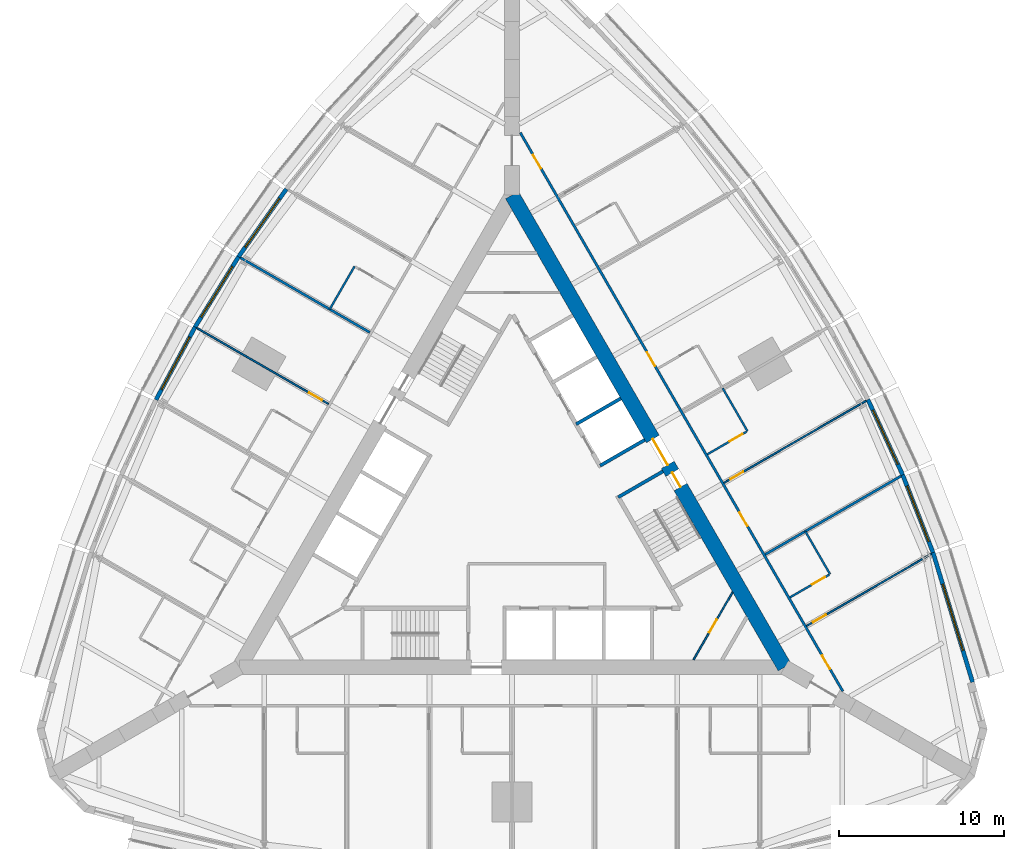
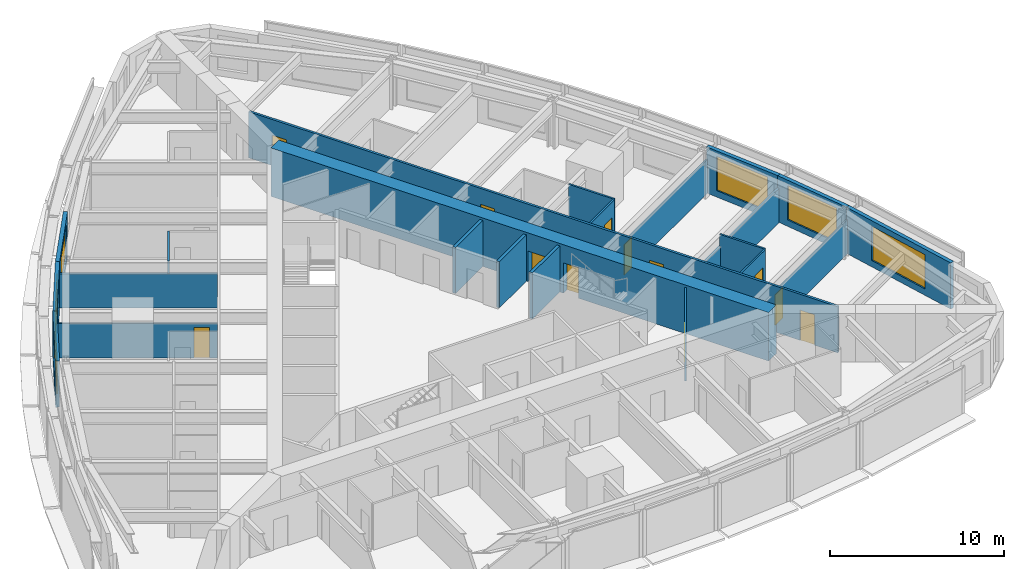
# One storey, part 11 of 14: 22 walls, 12 doors, 6 windows, 18 openings.
"""IFC4 building model written with IfcOpenShell, lengths in metres."""

from ifc_helpers import new_model, si_unit, direction, frame, frame_2d, origin, place, context, subcontext, project, spatial, rectangle, extrude, material, layer, layer_set, type_object, element, fill, save


model = new_model("IFC4")

# Units and contexts
model_context = context("Model", 3, precision=1e-05, world=origin(), true_north=direction((0.0, 1.0)))
body_context = subcontext(model_context, "Body", "Model", "MODEL_VIEW")
ifc_project = project(units=[si_unit("LENGTHUNIT", "METRE"), si_unit("AREAUNIT", "SQUARE_METRE"), si_unit("VOLUMEUNIT", "CUBIC_METRE"), si_unit("PLANEANGLEUNIT", "RADIAN"), si_unit("MASSUNIT", "GRAM", prefix="KILO")], contexts=[model_context])

# Site, building, storey
site_placement = place(None, origin())
site = spatial("IfcSite", under=ifc_project, at=site_placement, CompositionType="ELEMENT")
building_placement = place(site_placement, origin())
building = spatial("IfcBuilding", under=site, at=building_placement, Name="Trikona Tower", CompositionType="ELEMENT")
storey_placement = place(building_placement, frame((0.0, 0.0, 96.5)))
storey = spatial("IfcBuildingStorey", under=building, at=storey_placement, Name="L25", CompositionType="ELEMENT", Elevation=96.5)

# Wall
ifc_material_1 = material(Name="Metal stud and cement board", Category="gypsum")
ifc_layer_1 = layer(ifc_material_1, 0.1201171875)
ifc_layer_set_1 = layer_set([ifc_layer_1], Name="Bathroom wall 120")
wall_type_1 = type_object("IfcWallType", Name="Bathroom wall 120", PredefinedType="PLUMBINGWALL", material=ifc_layer_set_1)
wall_1_placement = place(storey_placement, frame((19.25341796875, -3.895263671875, 0.0), z_axis=(0.0, 0.0, 1.0), x_axis=(-0.499990139034, 0.866031096941, 0.0)))
element("IfcWall", 1, at=wall_1_placement, inside=storey, type_object=wall_type_1, Name="Bathroom wall 2505.1", PredefinedType="PLUMBINGWALL", context=body_context, shape_type="SweptSolid", body=[
    extrude(rectangle(XDim=3.0, YDim=0.1201171875, at=frame_2d((1.5, 0.0))), origin(), (0.0, 0.0, 1.0), 3.235107421875),
])

# Wall, opening, door
wall_2_placement = place(storey_placement, frame((16.82861328125, -5.295166015625, 0.0), z_axis=(0.0, 0.0, 1.0), x_axis=(0.866035715982, 0.499982138324, 0.0)))
wall_2 = element("IfcWall", 2, at=wall_2_placement, inside=storey, type_object=wall_type_1, Name="Bathroom wall 2505.1", PredefinedType="PLUMBINGWALL", context=body_context, shape_type="SweptSolid", body=[
    extrude(rectangle(XDim=2.73974609375, YDim=0.1201171875, at=frame_2d((1.369873046875, 0.0))), origin(), (0.0, 0.0, 1.0), 3.235107421875),
])
opening_1_placement = place(wall_2_placement, frame((1.550048828125, 0.0, 0.0)))
opening_1 = element("IfcOpeningElement", 3, at=opening_1_placement, cuts=wall_2, Name="Opening D2", PredefinedType="OPENING", context=body_context, shape_type="SweptSolid", body=[
    extrude(rectangle(XDim=0.89990234375, YDim=2.1298828125, at=frame_2d((0.449951171875, 1.06494140625))), frame((0.0, 0.070068359375, 0.0), z_axis=(0.0, -1.0, 0.0), x_axis=(1.0, 0.0, 0.0)), (0.0, 0.0, 1.0), 0.14013671875),
])
ifc_material_2 = material(Name="Steel door frame with solid-core timber leaf", Category="steel")
door_type_1 = type_object("IfcDoorType", Name="Bathroom door 900x2130", OperationType="SLIDING_TO_LEFT", PredefinedType="DOOR", material=ifc_material_2)
door_1_placement = place(opening_1_placement, origin())
door_1 = element("IfcDoor", 4, at=door_1_placement, inside=storey, type_object=door_type_1, Name="Bathroom door 2505.1", OperationType="SLIDING_TO_LEFT", OverallHeight=2.1298828125, OverallWidth=0.89990234375, PredefinedType="DOOR", context=body_context, shape_type="SweptSolid", body=[
    extrude(rectangle(XDim=0.89990234375, YDim=2.1298828125, at=frame_2d((0.449951171875, 1.06494140625))), frame((0.0, 0.02490234375, 0.0), z_axis=(0.0, -1.0, 0.0), x_axis=(1.0, 0.0, 0.0)), (0.0, 0.0, 1.0), 0.050048828125),
])
fill(opening_1, door_1)

# Wall
wall_3_placement = place(storey_placement, frame((14.25341796875, 4.76513671875, 0.0), z_axis=(0.0, 0.0, 1.0), x_axis=(-0.50002537861, 0.866010750942, 0.0)))
element("IfcWall", 5, at=wall_3_placement, inside=storey, type_object=wall_type_1, Name="Bathroom wall 2506.1", PredefinedType="PLUMBINGWALL", context=body_context, shape_type="SweptSolid", body=[
    extrude(rectangle(XDim=2.999755859375, YDim=0.1201171875, at=frame_2d((1.5, 0.0))), origin(), (0.0, 0.0, 1.0), 3.235107421875),
])

# Wall, opening, door
wall_4_placement = place(storey_placement, frame((11.82861328125, 3.364990234375, 0.0), z_axis=(0.0, 0.0, 1.0), x_axis=(0.865997131366, 0.500048966069, 0.0)))
wall_4 = element("IfcWall", 6, at=wall_4_placement, inside=storey, type_object=wall_type_1, Name="Bathroom wall 2506.1", PredefinedType="PLUMBINGWALL", context=body_context, shape_type="SweptSolid", body=[
    extrude(rectangle(XDim=2.739990234375, YDim=0.1201171875, at=frame_2d((1.3701171875, 0.0))), origin(), (0.0, 0.0, 1.0), 3.235107421875),
])
opening_2_placement = place(wall_4_placement, frame((1.550048828125, 0.0, 0.0)))
opening_2 = element("IfcOpeningElement", 7, at=opening_2_placement, cuts=wall_4, Name="Opening D2", PredefinedType="OPENING", context=body_context, shape_type="SweptSolid", body=[
    extrude(rectangle(XDim=0.89990234375, YDim=2.1298828125, at=frame_2d((0.449951171875, 1.06494140625))), frame((0.0, 0.070068359375, 0.0), z_axis=(0.0, -1.0, 0.0), x_axis=(1.0, 0.0, 0.0)), (0.0, 0.0, 1.0), 0.14013671875),
])
door_2_placement = place(opening_2_placement, origin())
door_2 = element("IfcDoor", 8, at=door_2_placement, inside=storey, type_object=door_type_1, Name="Bathroom door 2506.1", OperationType="SLIDING_TO_LEFT", OverallHeight=2.1298828125, OverallWidth=0.89990234375, PredefinedType="DOOR", context=body_context, shape_type="SweptSolid", body=[
    extrude(rectangle(XDim=0.89990234375, YDim=2.1298828125, at=frame_2d((0.449951171875, 1.06494140625))), frame((0.0, 0.02490234375, 0.0), z_axis=(0.0, -1.0, 0.0), x_axis=(1.0, 0.0, 0.0)), (0.0, 0.0, 1.0), 0.050048828125),
])
fill(opening_2, door_2)

# Wall
wall_5_placement = place(storey_placement, frame((-9.53271484375, 14.7412109375, 0.0), z_axis=(0.0, 0.0, 1.0), x_axis=(-0.50002537861, -0.866010750942, 0.0)))
element("IfcWall", 9, at=wall_5_placement, inside=storey, type_object=wall_type_1, Name="Bathroom wall 2510.1", PredefinedType="PLUMBINGWALL", context=body_context, shape_type="SweptSolid", body=[
    extrude(rectangle(XDim=2.999755859375, YDim=0.1201171875, at=frame_2d((1.5, 0.0))), origin(), (0.0, 0.0, 1.0), 3.235107421875),
])

# Wall, openings, doors
ifc_material_3 = material(Name="Concrete f'c 10000 psi", Category="concrete")
ifc_layer_2 = layer(ifc_material_3, 0.89990234375)
ifc_layer_set_2 = layer_set([ifc_layer_2], Name="Core wall 900")
wall_type_2 = type_object("IfcWallType", Name="Core wall 900", PredefinedType="SHEAR", material=ifc_layer_set_2)
wall_6_placement = place(storey_placement, frame((16.5, -9.5263671875, 0.0), z_axis=(0.0, 0.0, 1.0), x_axis=(-0.499999749417, 0.866025548458, 0.0)))
wall_6 = element("IfcWall", 10, at=wall_6_placement, inside=storey, type_object=wall_type_2, Name="Core wall B", PredefinedType="SHEAR", context=body_context, shape_type="SweptSolid", body=[
    extrude(rectangle(XDim=33.0, YDim=0.89990234375, at=frame_2d((16.5, 0.0))), origin(), (0.0, 0.0, 1.0), 3.39990234375),
])
opening_3_placement = place(wall_6_placement, frame((14.14990234375, 0.0, 0.0)))
opening_3 = element("IfcOpeningElement", 11, at=opening_3_placement, cuts=wall_6, Name="Opening D6", PredefinedType="OPENING", context=body_context, shape_type="SweptSolid", body=[
    extrude(rectangle(XDim=1.800048828125, YDim=2.1298828125, at=frame_2d((0.89990234375, 1.06494140625))), frame((0.0, 0.4599609375, 0.0), z_axis=(0.0, -1.0, 0.0), x_axis=(1.0, 0.0, 0.0)), (0.0, 0.0, 1.0), 0.919921875),
])
opening_4_placement = place(wall_6_placement, frame((12.60009765625, 0.0, 0.0)))
opening_4 = element("IfcOpeningElement", 12, at=opening_4_placement, cuts=wall_6, Name="Opening D5", PredefinedType="OPENING", context=body_context, shape_type="SweptSolid", body=[
    extrude(rectangle(XDim=1.0, YDim=2.1298828125, at=frame_2d((0.5, 1.06494140625))), frame((0.0, 0.4599609375, 0.0), z_axis=(0.0, -1.0, 0.0), x_axis=(1.0, 0.0, 0.0)), (0.0, 0.0, 1.0), 0.919921875),
])
ifc_material_4 = material(Name="Hollow metal door and frame", Category="steel")
door_type_2 = type_object("IfcDoorType", Name="Lobby door pair 1800x2130", OperationType="DOUBLE_DOOR_SINGLE_SWING", PredefinedType="DOOR", material=ifc_material_4)
door_3_placement = place(opening_3_placement, origin())
door_3 = element("IfcDoor", 13, at=door_3_placement, inside=storey, type_object=door_type_2, Name="Lift lobby door B", OperationType="DOUBLE_DOOR_SINGLE_SWING", OverallHeight=2.1298828125, OverallWidth=1.800048828125, PredefinedType="DOOR", context=body_context, shape_type="SweptSolid", body=[
    extrude(rectangle(XDim=1.800048828125, YDim=2.1298828125, at=frame_2d((0.89990234375, 1.06494140625))), frame((0.0, 0.02490234375, 0.0), z_axis=(0.0, -1.0, 0.0), x_axis=(1.0, 0.0, 0.0)), (0.0, 0.0, 1.0), 0.050048828125),
])
fill(opening_3, door_3)
ifc_material_5 = material(Name="Hollow metal door and frame", Category="steel")
door_type_3 = type_object("IfcDoorType", Name="Stair door 1000x2130", OperationType="SINGLE_SWING_LEFT", PredefinedType="DOOR", material=ifc_material_5)
door_4_placement = place(opening_4_placement, origin())
door_4 = element("IfcDoor", 14, at=door_4_placement, inside=storey, type_object=door_type_3, Name="Stair B door", OperationType="SINGLE_SWING_RIGHT", OverallHeight=2.1298828125, OverallWidth=1.0, PredefinedType="DOOR", context=body_context, shape_type="SweptSolid", body=[
    extrude(rectangle(XDim=1.0, YDim=2.1298828125, at=frame_2d((0.5, 1.06494140625))), frame((0.0, 0.02490234375, 0.0), z_axis=(0.0, -1.0, 0.0), x_axis=(1.0, 0.0, 0.0)), (0.0, 0.0, 1.0), 0.050048828125),
])
fill(opening_4, door_4)

ifc_material_6 = material(Name="Metal stud and gypsum board, 1-hour", Category="gypsum")
ifc_layer_3 = layer(ifc_material_6, 0.14990234375)
ifc_layer_set_3 = layer_set([ifc_layer_3], Name="Corridor wall 150")
wall_type_3 = type_object("IfcWallType", Name="Corridor wall 150", PredefinedType="PARTITIONING", material=ifc_layer_set_3)
wall_7_placement = place(storey_placement, frame((20.027099609375, -10.9853515625, 0.0), z_axis=(0.0, 0.0, 1.0), x_axis=(-0.500001677587, 0.866024435227, 0.0)))
wall_7 = element("IfcWall", 15, at=wall_7_placement, inside=storey, type_object=wall_type_3, Name="Corridor wall L25-2", PredefinedType="PARTITIONING", context=body_context, shape_type="SweptSolid", body=[
    extrude(rectangle(XDim=39.053955078125, YDim=0.14990234375, at=frame_2d((19.52685546875, 0.0))), origin(), (0.0, 0.0, 1.0), 3.235107421875),
])
opening_5_placement = place(wall_7_placement, frame((1.558349609375, 0.0, 0.0)))
opening_5 = element("IfcOpeningElement", 16, at=opening_5_placement, cuts=wall_7, Name="Opening D1", PredefinedType="OPENING", context=body_context, shape_type="SweptSolid", body=[
    extrude(rectangle(XDim=0.949951171875, YDim=2.1298828125, at=frame_2d((0.47509765625, 1.06494140625))), frame((0.0, 0.0849609375, 0.0), z_axis=(0.0, -1.0, 0.0), x_axis=(1.0, 0.0, 0.0)), (0.0, 0.0, 1.0), 0.169921875),
])
opening_6_placement = place(wall_7_placement, frame((11.552001953125, 0.0, 0.0)))
opening_6 = element("IfcOpeningElement", 17, at=opening_6_placement, cuts=wall_7, Name="Opening D1", PredefinedType="OPENING", context=body_context, shape_type="SweptSolid", body=[
    extrude(rectangle(XDim=0.949951171875, YDim=2.1298828125, at=frame_2d((0.47509765625, 1.06494140625))), frame((0.0, 0.0849609375, 0.0), z_axis=(0.0, -1.0, 0.0), x_axis=(1.0, 0.0, 0.0)), (0.0, 0.0, 1.0), 0.169921875),
])
opening_7_placement = place(wall_7_placement, frame((22.751953125, 0.0, 0.0)))
opening_7 = element("IfcOpeningElement", 18, at=opening_7_placement, cuts=wall_7, Name="Opening D1", PredefinedType="OPENING", context=body_context, shape_type="SweptSolid", body=[
    extrude(rectangle(XDim=0.949951171875, YDim=2.1298828125, at=frame_2d((0.47509765625, 1.06494140625))), frame((0.0, 0.0849609375, 0.0), z_axis=(0.0, -1.0, 0.0), x_axis=(1.0, 0.0, 0.0)), (0.0, 0.0, 1.0), 0.169921875),
])
opening_8_placement = place(wall_7_placement, frame((36.545654296875, 0.0, 0.0)))
opening_8 = element("IfcOpeningElement", 19, at=opening_8_placement, cuts=wall_7, Name="Opening D1", PredefinedType="OPENING", context=body_context, shape_type="SweptSolid", body=[
    extrude(rectangle(XDim=0.949951171875, YDim=2.1298828125, at=frame_2d((0.47509765625, 1.06494140625))), frame((0.0, 0.0849609375, 0.0), z_axis=(0.0, -1.0, 0.0), x_axis=(1.0, 0.0, 0.0)), (0.0, 0.0, 1.0), 0.169921875),
])
ifc_material_7 = material(Name="Steel door frame with solid-core timber leaf", Category="steel")
door_type_4 = type_object("IfcDoorType", Name="Guest room door 950x2130", OperationType="SINGLE_SWING_LEFT", PredefinedType="DOOR", material=ifc_material_7)
door_5_placement = place(opening_5_placement, origin())
door_5 = element("IfcDoor", 20, at=door_5_placement, inside=storey, type_object=door_type_4, Name="Room door 2505", OperationType="SINGLE_SWING_LEFT", OverallHeight=2.1298828125, OverallWidth=0.949951171875, PredefinedType="DOOR", context=body_context, shape_type="SweptSolid", body=[
    extrude(rectangle(XDim=0.949951171875, YDim=2.1298828125, at=frame_2d((0.47509765625, 1.06494140625))), frame((0.0, 0.02490234375, 0.0), z_axis=(0.0, -1.0, 0.0), x_axis=(1.0, 0.0, 0.0)), (0.0, 0.0, 1.0), 0.050048828125),
])
fill(opening_5, door_5)
door_6_placement = place(opening_6_placement, origin())
door_6 = element("IfcDoor", 21, at=door_6_placement, inside=storey, type_object=door_type_4, Name="Room door 2506", OperationType="SINGLE_SWING_RIGHT", OverallHeight=2.1298828125, OverallWidth=0.949951171875, PredefinedType="DOOR", context=body_context, shape_type="SweptSolid", body=[
    extrude(rectangle(XDim=0.949951171875, YDim=2.1298828125, at=frame_2d((0.47509765625, 1.06494140625))), frame((0.0, 0.02490234375, 0.0), z_axis=(0.0, -1.0, 0.0), x_axis=(1.0, 0.0, 0.0)), (0.0, 0.0, 1.0), 0.050048828125),
])
fill(opening_6, door_6)
door_7_placement = place(opening_7_placement, origin())
door_7 = element("IfcDoor", 22, at=door_7_placement, inside=storey, type_object=door_type_4, Name="Room door 2507", OperationType="SINGLE_SWING_LEFT", OverallHeight=2.1298828125, OverallWidth=0.949951171875, PredefinedType="DOOR", context=body_context, shape_type="SweptSolid", body=[
    extrude(rectangle(XDim=0.949951171875, YDim=2.1298828125, at=frame_2d((0.47509765625, 1.06494140625))), frame((0.0, 0.02490234375, 0.0), z_axis=(0.0, -1.0, 0.0), x_axis=(1.0, 0.0, 0.0)), (0.0, 0.0, 1.0), 0.050048828125),
])
fill(opening_7, door_7)
door_8_placement = place(opening_8_placement, origin())
door_8 = element("IfcDoor", 23, at=door_8_placement, inside=storey, type_object=door_type_4, Name="Room door 2508", OperationType="SINGLE_SWING_RIGHT", OverallHeight=2.1298828125, OverallWidth=0.949951171875, PredefinedType="DOOR", context=body_context, shape_type="SweptSolid", body=[
    extrude(rectangle(XDim=0.949951171875, YDim=2.1298828125, at=frame_2d((0.47509765625, 1.06494140625))), frame((0.0, 0.02490234375, 0.0), z_axis=(0.0, -1.0, 0.0), x_axis=(1.0, 0.0, 0.0)), (0.0, 0.0, 1.0), 0.050048828125),
])
fill(opening_8, door_8)

# Wall, opening, window
ifc_material_8 = material(Name="Insulated precast concrete spandrel panel", Category="concrete")
ifc_layer_4 = layer(ifc_material_8, 0.25)
ifc_layer_set_4 = layer_set([ifc_layer_4], Name="Inner skin wall 250")
wall_type_4 = type_object("IfcWallType", Name="Inner skin wall 250", PredefinedType="STANDARD", material=ifc_layer_set_4)
wall_8_placement = place(storey_placement, frame((27.88037109375, -10.4287109375, 0.0), z_axis=(0.0, 0.0, 1.0), x_axis=(-0.2919790669, 0.956424709265, 0.0)))
wall_8 = element("IfcWall", 24, at=wall_8_placement, inside=storey, type_object=wall_type_4, Name="External wall L25-12", PredefinedType="STANDARD", context=body_context, shape_type="SweptSolid", body=[
    extrude(rectangle(XDim=8.211181640625, YDim=0.25, at=frame_2d((4.10546875, 0.0))), origin(), (0.0, 0.0, 1.0), 3.235107421875),
])
opening_9_placement = place(wall_8_placement, frame((2.005615234375, 0.0, 0.449951171875)))
opening_9 = element("IfcOpeningElement", 25, at=opening_9_placement, cuts=wall_8, Name="Opening W4224", PredefinedType="OPENING", context=body_context, shape_type="SweptSolid", body=[
    extrude(rectangle(XDim=4.199951171875, YDim=2.39990234375, at=frame_2d((2.10009765625, 1.199951171875))), frame((0.0, 0.135009765625, 0.0), z_axis=(0.0, -1.0, 0.0), x_axis=(1.0, 0.0, 0.0)), (0.0, 0.0, 1.0), 0.27001953125),
])
ifc_material_9 = material(Name="Aluminium-framed double glazing", Category="aluminium")
window_type_1 = type_object("IfcWindowType", Name="Window 4200x2400", PartitioningType="SINGLE_PANEL", PredefinedType="WINDOW", material=ifc_material_9)
window_1_placement = place(opening_9_placement, origin())
window_1 = element("IfcWindow", 26, at=window_1_placement, inside=storey, type_object=window_type_1, Name="Window 2505", OverallHeight=2.39990234375, OverallWidth=4.199951171875, PartitioningType="SINGLE_PANEL", PredefinedType="WINDOW", context=body_context, shape_type="SweptSolid", body=[
    extrude(rectangle(XDim=4.199951171875, YDim=2.39990234375, at=frame_2d((2.10009765625, 1.199951171875))), frame((0.0, 0.030029296875, 0.0), z_axis=(0.0, -1.0, 0.0), x_axis=(1.0, 0.0, 0.0)), (0.0, 0.0, 1.0), 0.06005859375),
])
fill(opening_9, window_1)

wall_9_placement = place(storey_placement, frame((25.486083984375, -2.58447265625, 0.0), z_axis=(0.0, 0.0, 1.0), x_axis=(-0.364013463868, 0.931393685894, 0.0)))
wall_9 = element("IfcWall", 27, at=wall_9_placement, inside=storey, type_object=wall_type_4, Name="External wall L25-13", PredefinedType="STANDARD", context=body_context, shape_type="SweptSolid", body=[
    extrude(rectangle(XDim=5.0576171875, YDim=0.25, at=frame_2d((2.52880859375, 0.0))), origin(), (0.0, 0.0, 1.0), 3.235107421875),
])
opening_10_placement = place(wall_9_placement, frame((0.728759765625, 0.0, 0.449951171875)))
opening_10 = element("IfcOpeningElement", 28, at=opening_10_placement, cuts=wall_9, Name="Opening W3624", PredefinedType="OPENING", context=body_context, shape_type="SweptSolid", body=[
    extrude(rectangle(XDim=3.60009765625, YDim=2.39990234375, at=frame_2d((1.800048828125, 1.199951171875))), frame((0.0, 0.135009765625, 0.0), z_axis=(0.0, -1.0, 0.0), x_axis=(1.0, 0.0, 0.0)), (0.0, 0.0, 1.0), 0.27001953125),
])
ifc_material_10 = material(Name="Aluminium-framed double glazing", Category="aluminium")
window_type_2 = type_object("IfcWindowType", Name="Window 3600x2400", PartitioningType="SINGLE_PANEL", PredefinedType="WINDOW", material=ifc_material_10)
window_2_placement = place(opening_10_placement, origin())
window_2 = element("IfcWindow", 29, at=window_2_placement, inside=storey, type_object=window_type_2, Name="Window 2505.1", OverallHeight=2.39990234375, OverallWidth=3.60009765625, PartitioningType="SINGLE_PANEL", PredefinedType="WINDOW", context=body_context, shape_type="SweptSolid", body=[
    extrude(rectangle(XDim=3.60009765625, YDim=2.39990234375, at=frame_2d((1.800048828125, 1.199951171875))), frame((0.0, 0.030029296875, 0.0), z_axis=(0.0, -1.0, 0.0), x_axis=(1.0, 0.0, 0.0)), (0.0, 0.0, 1.0), 0.06005859375),
])
fill(opening_10, window_2)

wall_10_placement = place(storey_placement, frame((23.64794921875, 2.119384765625, 0.0), z_axis=(0.0, 0.0, 1.0), x_axis=(-0.419203100754, 0.907892482796, 0.0)))
wall_10 = element("IfcWall", 30, at=wall_10_placement, inside=storey, type_object=wall_type_4, Name="External wall L25-14", PredefinedType="STANDARD", context=body_context, shape_type="SweptSolid", body=[
    extrude(rectangle(XDim=5.020751953125, YDim=0.25, at=frame_2d((2.51025390625, 0.0))), origin(), (0.0, 0.0, 1.0), 3.235107421875),
])
opening_11_placement = place(wall_10_placement, frame((0.71044921875, 0.0, 0.449951171875)))
opening_11 = element("IfcOpeningElement", 31, at=opening_11_placement, cuts=wall_10, Name="Opening W3624", PredefinedType="OPENING", context=body_context, shape_type="SweptSolid", body=[
    extrude(rectangle(XDim=3.60009765625, YDim=2.39990234375, at=frame_2d((1.800048828125, 1.199951171875))), frame((0.0, 0.135009765625, 0.0), z_axis=(0.0, -1.0, 0.0), x_axis=(1.0, 0.0, 0.0)), (0.0, 0.0, 1.0), 0.27001953125),
])
window_3_placement = place(opening_11_placement, origin())
window_3 = element("IfcWindow", 32, at=window_3_placement, inside=storey, type_object=window_type_2, Name="Window 2506", OverallHeight=2.39990234375, OverallWidth=3.60009765625, PartitioningType="SINGLE_PANEL", PredefinedType="WINDOW", context=body_context, shape_type="SweptSolid", body=[
    extrude(rectangle(XDim=3.60009765625, YDim=2.39990234375, at=frame_2d((1.800048828125, 1.199951171875))), frame((0.0, 0.030029296875, 0.0), z_axis=(0.0, -1.0, 0.0), x_axis=(1.0, 0.0, 0.0)), (0.0, 0.0, 1.0), 0.06005859375),
])
fill(opening_11, window_3)

wall_11_placement = place(storey_placement, frame((-13.659423828125, 19.420166015625, 0.0), z_axis=(0.0, 0.0, 1.0), x_axis=(-0.5766431066, -0.81699616132, 0.0)))
wall_11 = element("IfcWall", 33, at=wall_11_placement, inside=storey, type_object=wall_type_4, Name="External wall L25-26", PredefinedType="STANDARD", context=body_context, shape_type="SweptSolid", body=[
    extrude(rectangle(XDim=5.02099609375, YDim=0.25, at=frame_2d((2.510498046875, 0.0))), origin(), (0.0, 0.0, 1.0), 3.235107421875),
])
opening_12_placement = place(wall_11_placement, frame((0.71044921875, 0.0, 0.449951171875)))
opening_12 = element("IfcOpeningElement", 34, at=opening_12_placement, cuts=wall_11, Name="Opening W3624", PredefinedType="OPENING", context=body_context, shape_type="SweptSolid", body=[
    extrude(rectangle(XDim=3.60009765625, YDim=2.39990234375, at=frame_2d((1.800048828125, 1.199951171875))), frame((0.0, 0.135009765625, 0.0), z_axis=(0.0, -1.0, 0.0), x_axis=(1.0, 0.0, 0.0)), (0.0, 0.0, 1.0), 0.27001953125),
])
window_4_placement = place(opening_12_placement, origin())
window_4 = element("IfcWindow", 35, at=window_4_placement, inside=storey, type_object=window_type_2, Name="Window 2510.1", OverallHeight=2.39990234375, OverallWidth=3.60009765625, PartitioningType="SINGLE_PANEL", PredefinedType="WINDOW", context=body_context, shape_type="SweptSolid", body=[
    extrude(rectangle(XDim=3.60009765625, YDim=2.39990234375, at=frame_2d((1.800048828125, 1.199951171875))), frame((0.0, 0.030029296875, 0.0), z_axis=(0.0, -1.0, 0.0), x_axis=(1.0, 0.0, 0.0)), (0.0, 0.0, 1.0), 0.06005859375),
])
fill(opening_12, window_4)

wall_12_placement = place(storey_placement, frame((-16.550537109375, 15.324462890625, 0.0), z_axis=(0.0, 0.0, 1.0), x_axis=(-0.526132807704, -0.850402415717, 0.0)))
wall_12 = element("IfcWall", 36, at=wall_12_placement, inside=storey, type_object=wall_type_4, Name="External wall L25-27", PredefinedType="STANDARD", context=body_context, shape_type="SweptSolid", body=[
    extrude(rectangle(XDim=5.002197265625, YDim=0.25, at=frame_2d((2.5009765625, 0.0))), origin(), (0.0, 0.0, 1.0), 3.235107421875),
])
opening_13_placement = place(wall_12_placement, frame((0.701171875, 0.0, 0.449951171875)))
opening_13 = element("IfcOpeningElement", 37, at=opening_13_placement, cuts=wall_12, Name="Opening W3624", PredefinedType="OPENING", context=body_context, shape_type="SweptSolid", body=[
    extrude(rectangle(XDim=3.60009765625, YDim=2.39990234375, at=frame_2d((1.800048828125, 1.199951171875))), frame((0.0, 0.135009765625, 0.0), z_axis=(0.0, -1.0, 0.0), x_axis=(1.0, 0.0, 0.0)), (0.0, 0.0, 1.0), 0.27001953125),
])
window_5_placement = place(opening_13_placement, origin())
window_5 = element("IfcWindow", 38, at=window_5_placement, inside=storey, type_object=window_type_2, Name="Window 2511", OverallHeight=2.39990234375, OverallWidth=3.60009765625, PartitioningType="SINGLE_PANEL", PredefinedType="WINDOW", context=body_context, shape_type="SweptSolid", body=[
    extrude(rectangle(XDim=3.60009765625, YDim=2.39990234375, at=frame_2d((1.800048828125, 1.199951171875))), frame((0.0, 0.030029296875, 0.0), z_axis=(0.0, -1.0, 0.0), x_axis=(1.0, 0.0, 0.0)), (0.0, 0.0, 1.0), 0.06005859375),
])
fill(opening_13, window_5)

wall_13_placement = place(storey_placement, frame((-19.178466796875, 11.0771484375, 0.0), z_axis=(0.0, 0.0, 1.0), x_axis=(-0.473412820489, -0.880840678782, 0.0)))
wall_13 = element("IfcWall", 39, at=wall_13_placement, inside=storey, type_object=wall_type_4, Name="External wall L25-28", PredefinedType="STANDARD", context=body_context, shape_type="SweptSolid", body=[
    extrude(rectangle(XDim=5.00244140625, YDim=0.25, at=frame_2d((2.501220703125, 0.0))), origin(), (0.0, 0.0, 1.0), 3.235107421875),
])
opening_14_placement = place(wall_13_placement, frame((0.701171875, 0.0, 0.449951171875)))
opening_14 = element("IfcOpeningElement", 40, at=opening_14_placement, cuts=wall_13, Name="Opening W3624", PredefinedType="OPENING", context=body_context, shape_type="SweptSolid", body=[
    extrude(rectangle(XDim=3.60009765625, YDim=2.39990234375, at=frame_2d((1.800048828125, 1.199951171875))), frame((0.0, 0.135009765625, 0.0), z_axis=(0.0, -1.0, 0.0), x_axis=(1.0, 0.0, 0.0)), (0.0, 0.0, 1.0), 0.27001953125),
])
window_6_placement = place(opening_14_placement, origin())
window_6 = element("IfcWindow", 41, at=window_6_placement, inside=storey, type_object=window_type_2, Name="Window 2511.1", OverallHeight=2.39990234375, OverallWidth=3.60009765625, PartitioningType="SINGLE_PANEL", PredefinedType="WINDOW", context=body_context, shape_type="SweptSolid", body=[
    extrude(rectangle(XDim=3.60009765625, YDim=2.39990234375, at=frame_2d((1.800048828125, 1.199951171875))), frame((0.0, 0.030029296875, 0.0), z_axis=(0.0, -1.0, 0.0), x_axis=(1.0, 0.0, 0.0)), (0.0, 0.0, 1.0), 0.06005859375),
])
fill(opening_14, window_6)

# Walls
ifc_material_11 = material(Name="Metal stud and gypsum board, 1-hour acoustic", Category="gypsum")
ifc_layer_5 = layer(ifc_material_11, 0.14990234375)
ifc_layer_set_5 = layer_set([ifc_layer_5], Name="Party wall 150")
wall_type_5 = type_object("IfcWallType", Name="Party wall 150", PredefinedType="PARTITIONING", material=ifc_layer_set_5)
wall_14_placement = place(storey_placement, frame((15.32861328125, -2.697021484375, 0.0), z_axis=(0.0, 0.0, 1.0), x_axis=(0.866018409083, 0.500012114982, 0.0)))
element("IfcWall", 42, at=wall_14_placement, inside=storey, type_object=wall_type_5, Name="Partition L25 F2 u-10", PredefinedType="PARTITIONING", context=body_context, shape_type="SweptSolid", body=[
    extrude(rectangle(XDim=9.484619140625, YDim=0.14990234375, at=frame_2d((4.7421875, 0.0))), origin(), (0.0, 0.0, 1.0), 2.38916015625),
])
wall_15_placement = place(storey_placement, frame((-8.60791015625, 10.743408203125, 0.0), z_axis=(0.0, 0.0, 1.0), x_axis=(-0.866028232062, 0.499995101247, 0.0)))
element("IfcWall", 43, at=wall_15_placement, inside=storey, type_object=wall_type_5, Name="Partition L25 F3 u-5", PredefinedType="PARTITIONING", context=body_context, shape_type="SweptSolid", body=[
    extrude(rectangle(XDim=9.04296875, YDim=0.14990234375, at=frame_2d((4.521484375, 0.0))), origin(), (0.0, 0.0, 1.0), 2.38916015625),
])
ifc_material_12 = material(Name="Concrete f'c 8000 psi", Category="concrete")
ifc_layer_6 = layer(ifc_material_12, 0.199951171875)
ifc_layer_set_6 = layer_set([ifc_layer_6], Name="Shaft wall 200")
wall_type_6 = type_object("IfcWallType", Name="Shaft wall 200", PredefinedType="SOLIDWALL", material=ifc_layer_set_6)
for number, where, z_axis, x_axis, name in (
    (44, (5.3291015625, 2.672607421875, 0.0), (0.0, 0.0, 1.0), (0.866022959057, 0.500004234368, 0.0), "Shaft wall B3"),
    (45, (3.87890625, 5.18408203125, 0.0), (0.0, 0.0, 1.0), (0.866022959057, 0.500004234368, 0.0), "Shaft wall B4"),
):
    element("IfcWall", number, at=place(storey_placement, frame(where, z_axis=z_axis, x_axis=x_axis)), inside=storey, type_object=wall_type_6, Name=name, PredefinedType="SOLIDWALL", context=body_context, shape_type="SweptSolid", body=[
        extrude(rectangle(XDim=3.125, YDim=0.199951171875, at=frame_2d((1.5625, 0.0))), origin(), (0.0, 0.0, 1.0), 3.235107421875),
    ])
ifc_material_13 = material(Name="Concrete f'c 8000 psi", Category="concrete")
ifc_layer_7 = layer(ifc_material_13, 0.199951171875)
ifc_layer_set_7 = layer_set([ifc_layer_7], Name="Shaft wall 200 load-bearing")
wall_type_7 = type_object("IfcWallType", Name="Shaft wall 200 load-bearing", PredefinedType="SOLIDWALL", material=ifc_layer_set_7)
wall_16_placement = place(storey_placement, frame((6.428955078125, 0.767333984375, 0.0), z_axis=(0.0, 0.0, 1.0), x_axis=(0.866022959057, 0.500004234368, 0.0)))
element("IfcWall", 46, at=wall_16_placement, inside=storey, type_object=wall_type_7, Name="Shaft wall B2", PredefinedType="SOLIDWALL", context=body_context, shape_type="SweptSolid", body=[
    extrude(rectangle(XDim=3.125, YDim=0.199951171875, at=frame_2d((1.5625, 0.0))), origin(), (0.0, 0.0, 1.0), 3.235107421875),
])

# Wall, opening, door
ifc_material_14 = material(Name="Metal stud and gypsum board, acoustic", Category="gypsum")
ifc_layer_8 = layer(ifc_material_14, 0.10009765625)
ifc_layer_set_8 = layer_set([ifc_layer_8], Name="Suite partition 100")
wall_type_8 = type_object("IfcWallType", Name="Suite partition 100", PredefinedType="PARTITIONING", material=ifc_layer_set_8)
wall_17_placement = place(storey_placement, frame((17.82861328125, -7.027099609375, 0.0), z_axis=(0.0, 0.0, 1.0), x_axis=(0.866032659912, 0.499987431809, 0.0)))
wall_17 = element("IfcWall", 47, at=wall_17_placement, inside=storey, type_object=wall_type_8, Name="Suite partition L25 F2 u-15", PredefinedType="PARTITIONING", context=body_context, shape_type="SweptSolid", body=[
    extrude(rectangle(XDim=8.719970703125, YDim=0.10009765625, at=frame_2d((4.35986328125, 0.0))), origin(), (0.0, 0.0, 1.0), 2.38916015625),
])
opening_15_placement = place(wall_17_placement, frame((0.449951171875, 0.0, 0.0)))
opening_15 = element("IfcOpeningElement", 48, at=opening_15_placement, cuts=wall_17, Name="Opening D13", PredefinedType="OPENING", context=body_context, shape_type="SweptSolid", body=[
    extrude(rectangle(XDim=0.89990234375, YDim=2.1298828125, at=frame_2d((0.449951171875, 1.06494140625))), frame((0.0, 0.06005859375, 0.0), z_axis=(0.0, -1.0, 0.0), x_axis=(1.0, 0.0, 0.0)), (0.0, 0.0, 1.0), 0.1201171875),
])
ifc_material_15 = material(Name="Steel door frame with solid-core timber leaf", Category="steel")
door_type_5 = type_object("IfcDoorType", Name="Suite door 900x2130", OperationType="SINGLE_SWING_LEFT", PredefinedType="DOOR", material=ifc_material_15)
door_9_placement = place(opening_15_placement, origin())
door_9 = element("IfcDoor", 49, at=door_9_placement, inside=storey, type_object=door_type_5, Name="Suite door 2505", OperationType="SINGLE_SWING_LEFT", OverallHeight=2.1298828125, OverallWidth=0.89990234375, PredefinedType="DOOR", context=body_context, shape_type="SweptSolid", body=[
    extrude(rectangle(XDim=0.89990234375, YDim=2.1298828125, at=frame_2d((0.449951171875, 1.06494140625))), frame((0.0, 0.02490234375, 0.0), z_axis=(0.0, -1.0, 0.0), x_axis=(1.0, 0.0, 0.0)), (0.0, 0.0, 1.0), 0.050048828125),
])
fill(opening_15, door_9)

wall_18_placement = place(storey_placement, frame((12.82861328125, 1.633056640625, 0.0), z_axis=(0.0, 0.0, 1.0), x_axis=(0.866026934769, 0.499997348248, 0.0)))
wall_18 = element("IfcWall", 50, at=wall_18_placement, inside=storey, type_object=wall_type_8, Name="Suite partition L25 F2 u-5", PredefinedType="PARTITIONING", context=body_context, shape_type="SweptSolid", body=[
    extrude(rectangle(XDim=9.94287109375, YDim=0.10009765625, at=frame_2d((4.971435546875, 0.0))), origin(), (0.0, 0.0, 1.0), 2.38916015625),
])
opening_16_placement = place(wall_18_placement, frame((0.449951171875, 0.0, 0.0)))
opening_16 = element("IfcOpeningElement", 51, at=opening_16_placement, cuts=wall_18, Name="Opening D13", PredefinedType="OPENING", context=body_context, shape_type="SweptSolid", body=[
    extrude(rectangle(XDim=0.89990234375, YDim=2.1298828125, at=frame_2d((0.449951171875, 1.06494140625))), frame((0.0, 0.06005859375, 0.0), z_axis=(0.0, -1.0, 0.0), x_axis=(1.0, 0.0, 0.0)), (0.0, 0.0, 1.0), 0.1201171875),
])
door_10_placement = place(opening_16_placement, origin())
door_10 = element("IfcDoor", 52, at=door_10_placement, inside=storey, type_object=door_type_5, Name="Suite door 2506", OperationType="SINGLE_SWING_LEFT", OverallHeight=2.1298828125, OverallWidth=0.89990234375, PredefinedType="DOOR", context=body_context, shape_type="SweptSolid", body=[
    extrude(rectangle(XDim=0.89990234375, YDim=2.1298828125, at=frame_2d((0.449951171875, 1.06494140625))), frame((0.0, 0.02490234375, 0.0), z_axis=(0.0, -1.0, 0.0), x_axis=(1.0, 0.0, 0.0)), (0.0, 0.0, 1.0), 0.050048828125),
])
fill(opening_16, door_10)

wall_19_placement = place(storey_placement, frame((-11.10791015625, 6.4130859375, 0.0), z_axis=(0.0, 0.0, 1.0), x_axis=(-0.866022450903, 0.500005114506, 0.0)))
wall_19 = element("IfcWall", 53, at=wall_19_placement, inside=storey, type_object=wall_type_8, Name="Suite partition L25 F3 u-5.10703e-15", PredefinedType="PARTITIONING", context=body_context, shape_type="SweptSolid", body=[
    extrude(rectangle(XDim=9.1962890625, YDim=0.10009765625, at=frame_2d((4.59814453125, 0.0))), origin(), (0.0, 0.0, 1.0), 2.38916015625),
])
opening_17_placement = place(wall_19_placement, frame((0.449951171875, 0.0, 0.0)))
opening_17 = element("IfcOpeningElement", 54, at=opening_17_placement, cuts=wall_19, Name="Opening D13", PredefinedType="OPENING", context=body_context, shape_type="SweptSolid", body=[
    extrude(rectangle(XDim=0.89990234375, YDim=2.1298828125, at=frame_2d((0.449951171875, 1.06494140625))), frame((0.0, 0.06005859375, 0.0), z_axis=(0.0, -1.0, 0.0), x_axis=(1.0, 0.0, 0.0)), (0.0, 0.0, 1.0), 0.1201171875),
])
door_11_placement = place(opening_17_placement, origin())
door_11 = element("IfcDoor", 55, at=door_11_placement, inside=storey, type_object=door_type_5, Name="Suite door 2511", OperationType="SINGLE_SWING_LEFT", OverallHeight=2.1298828125, OverallWidth=0.89990234375, PredefinedType="DOOR", context=body_context, shape_type="SweptSolid", body=[
    extrude(rectangle(XDim=0.89990234375, YDim=2.1298828125, at=frame_2d((0.449951171875, 1.06494140625))), frame((0.0, 0.02490234375, 0.0), z_axis=(0.0, -1.0, 0.0), x_axis=(1.0, 0.0, 0.0)), (0.0, 0.0, 1.0), 0.050048828125),
])
fill(opening_17, door_11)

wall_20_placement = place(storey_placement, frame((13.353515625, -4.976318359375, 0.0), z_axis=(0.0, 0.0, 1.0), x_axis=(-0.499999210213, -0.866025859768, 0.0)))
wall_20 = element("IfcWall", 56, at=wall_20_placement, inside=storey, type_object=wall_type_8, Name="Store partition L25-RS1", PredefinedType="PARTITIONING", context=body_context, shape_type="SweptSolid", body=[
    extrude(rectangle(XDim=4.734375, YDim=0.10009765625, at=frame_2d((2.3671875, 0.0))), origin(), (0.0, 0.0, 1.0), 3.235107421875),
])
opening_18_placement = place(wall_20_placement, frame((1.917236328125, 0.0, 0.0)))
opening_18 = element("IfcOpeningElement", 57, at=opening_18_placement, cuts=wall_20, Name="Opening D15", PredefinedType="OPENING", context=body_context, shape_type="SweptSolid", body=[
    extrude(rectangle(XDim=0.89990234375, YDim=2.1298828125, at=frame_2d((0.449951171875, 1.06494140625))), frame((0.0, 0.06005859375, 0.0), z_axis=(0.0, -1.0, 0.0), x_axis=(1.0, 0.0, 0.0)), (0.0, 0.0, 1.0), 0.1201171875),
])
ifc_material_16 = material(Name="Steel door frame with solid-core timber leaf", Category="steel")
door_type_6 = type_object("IfcDoorType", Name="Store door 900x2130", OperationType="SINGLE_SWING_LEFT", PredefinedType="DOOR", material=ifc_material_16)
door_12_placement = place(opening_18_placement, origin())
door_12 = element("IfcDoor", 58, at=door_12_placement, inside=storey, type_object=door_type_6, Name="Door Cleaner's store CLN", OperationType="SINGLE_SWING_RIGHT", OverallHeight=2.1298828125, OverallWidth=0.89990234375, PredefinedType="DOOR", context=body_context, shape_type="SweptSolid", body=[
    extrude(rectangle(XDim=0.89990234375, YDim=2.1298828125, at=frame_2d((0.449951171875, 1.06494140625))), frame((0.0, 0.02490234375, 0.0), z_axis=(0.0, -1.0, 0.0), x_axis=(1.0, 0.0, 0.0)), (0.0, 0.0, 1.0), 0.050048828125),
])
fill(opening_18, door_12)

save(model, "model.ifc")
